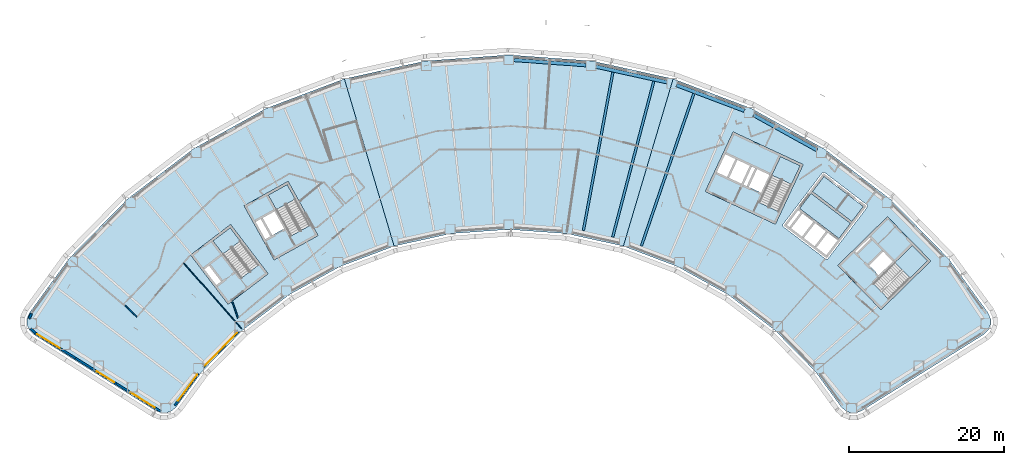
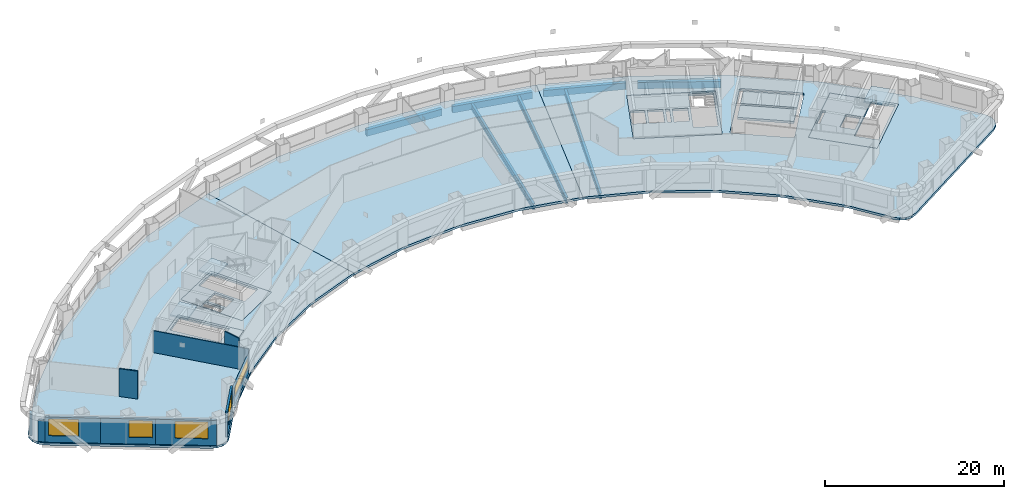
# One storey, part 2 of 19: 13 slabs, 10 walls, 7 beams, 5 windows, 5 openings, 4 elements without a shape of their own.
"""IFC4 building model written with IfcOpenShell, lengths in metres."""

from ifc_helpers import new_model, si_unit, direction, frame, frame_2d, origin, origin_2d, place, context, subcontext, project, spatial, polyline, rectangle, hollow_rectangle, i_section, outline, extrude, material, layer, layer_set, material_profile, profile_set, type_object, element, fill, aggregate, save


model = new_model("IFC4")

# Units and contexts
model_context = context("Model", 3, precision=1e-05, world=origin(), true_north=direction((0.0, 1.0)))
body_context = subcontext(model_context, "Body", "Model", "MODEL_VIEW")
ifc_project = project(units=[si_unit("LENGTHUNIT", "METRE"), si_unit("AREAUNIT", "SQUARE_METRE"), si_unit("VOLUMEUNIT", "CUBIC_METRE"), si_unit("PLANEANGLEUNIT", "RADIAN"), si_unit("MASSUNIT", "GRAM", prefix="KILO")], contexts=[model_context])

# Site, building, storey
site_placement = place(None, origin())
site = spatial("IfcSite", under=ifc_project, at=site_placement, CompositionType="ELEMENT")
building_placement = place(site_placement, origin())
building = spatial("IfcBuilding", under=site, at=building_placement, Name="Tuul Gate Civic Tower", CompositionType="ELEMENT")
storey_placement = place(building_placement, frame((0.0, 0.0, 56.699951171875)))
storey = spatial("IfcBuildingStorey", under=building, at=storey_placement, Name="Level 12", CompositionType="ELEMENT", Elevation=56.699951171875)

# Beams
ifc_material_1 = material(Name="Steel S355", Category="steel")
ifc_material_profile_1 = material_profile(ifc_material_1, i_section(OverallWidth=0.300048828125, OverallDepth=0.800048828125, WebThickness=0.013916015625, FlangeThickness=0.02490234375, at=origin_2d()), Name="PG800x300x14x25")
ifc_profile_set_1 = profile_set([ifc_material_profile_1], Name="Steel S355")
beam_type_1 = type_object("IfcBeamType", Name="STR-FLOOR BEAM-PG800x300x14x25", PredefinedType="BEAM", material=ifc_profile_set_1)
beam_1_placement = place(storey_placement, frame((17.146240234375, -10.189453125, -0.699951171875), z_axis=(0.325486974479, 0.945546524209, 0.0), x_axis=(-0.945546524209, 0.325486974479, 0.0)))
element("IfcBeam", 1, at=beam_1_placement, inside=storey, type_object=beam_type_1, Name="Floor beam", PredefinedType="BEAM", context=body_context, shape_type="SweptSolid", body=[
    extrude(i_section(OverallWidth=0.300048828125, OverallDepth=0.800048828125, WebThickness=0.013916015625, FlangeThickness=0.02490234375, at=origin_2d()), origin(), (0.0, 0.0, 1.0), 20.809326171875),
])
beam_2_placement = place(storey_placement, frame((13.438720703125, -9.04296875, -0.699951171875), z_axis=(0.255004720301, 0.96693980817, 0.0), x_axis=(-0.96693980817, 0.255004720301, 0.0)))
element("IfcBeam", 2, at=beam_2_placement, inside=storey, type_object=beam_type_1, Name="Floor beam", PredefinedType="BEAM", context=body_context, shape_type="SweptSolid", body=[
    extrude(i_section(OverallWidth=0.300048828125, OverallDepth=0.800048828125, WebThickness=0.013916015625, FlangeThickness=0.02490234375, at=origin_2d()), origin(), (0.0, 0.0, 1.0), 20.817626953125),
])
beam_3_placement = place(storey_placement, frame((9.6484375, -8.207763671875, -0.699951171875), z_axis=(0.183147342328, 0.98308547492, 0.0), x_axis=(-0.98308547492, 0.183147342328, 0.0)))
element("IfcBeam", 3, at=beam_3_placement, inside=storey, type_object=beam_type_1, Name="Floor beam", PredefinedType="BEAM", context=body_context, shape_type="SweptSolid", body=[
    extrude(i_section(OverallWidth=0.300048828125, OverallDepth=0.800048828125, WebThickness=0.013916015625, FlangeThickness=0.02490234375, at=origin_2d()), origin(), (0.0, 0.0, 1.0), 20.811279296875),
])
ifc_material_2 = material(Name="Steel S355", Category="steel")
ifc_material_profile_2 = material_profile(ifc_material_2, hollow_rectangle(XDim=0.449951171875, YDim=0.89990234375, WallThickness=0.02490234375, at=origin_2d()), Name="BOX900x450x25")
ifc_profile_set_2 = profile_set([ifc_material_profile_2], Name="Steel S355")
beam_type_2 = type_object("IfcBeamType", Name="STR-SPANDREL BEAM-BOX900x450x25", PredefinedType="BEAM", material=ifc_profile_set_2)
beam_4_placement = place(storey_placement, frame((39.83349609375, 2.191162109375, -0.75), z_axis=(-0.874628488078, 0.484793778676, 0.0), x_axis=(-0.484793778676, -0.874628488078, 0.0)))
element("IfcBeam", 4, at=beam_4_placement, inside=storey, type_object=beam_type_2, Name="Spandrel beam", PredefinedType="BEAM", context=body_context, shape_type="SweptSolid", body=[
    extrude(hollow_rectangle(XDim=0.449951171875, YDim=0.89990234375, WallThickness=0.02490234375, at=origin_2d()), origin(), (0.0, 0.0, 1.0), 9.37646484375),
])
beam_5_placement = place(storey_placement, frame((30.4560546875, 7.281982421875, -0.75), z_axis=(-0.935343306637, 0.353741287849, 0.0), x_axis=(-0.353741287849, -0.935343306637, 0.0)))
element("IfcBeam", 5, at=beam_5_placement, inside=storey, type_object=beam_type_2, Name="Spandrel beam", PredefinedType="BEAM", context=body_context, shape_type="SweptSolid", body=[
    extrude(hollow_rectangle(XDim=0.449951171875, YDim=0.89990234375, WallThickness=0.02490234375, at=origin_2d()), origin(), (0.0, 0.0, 1.0), 9.377197265625),
])
beam_6_placement = place(storey_placement, frame((20.442138671875, 10.968994140625, -0.75), z_axis=(-0.976572630495, 0.215188051174, 0.0), x_axis=(-0.215188051174, -0.976572630495, 0.0)))
element("IfcBeam", 6, at=beam_6_placement, inside=storey, type_object=beam_type_2, Name="Spandrel beam", PredefinedType="BEAM", context=body_context, shape_type="SweptSolid", body=[
    extrude(hollow_rectangle(XDim=0.449951171875, YDim=0.89990234375, WallThickness=0.02490234375, at=origin_2d()), origin(), (0.0, 0.0, 1.0), 9.378173828125),
])
beam_7_placement = place(storey_placement, frame((10.000732421875, 13.173828125, -0.75), z_axis=(-0.997388439542, 0.072223961869, 0.0), x_axis=(-0.072223961869, -0.997388439542, 0.0)))
element("IfcBeam", 7, at=beam_7_placement, inside=storey, type_object=beam_type_2, Name="Spandrel beam", PredefinedType="BEAM", context=body_context, shape_type="SweptSolid", body=[
    extrude(hollow_rectangle(XDim=0.449951171875, YDim=0.89990234375, WallThickness=0.02490234375, at=origin_2d()), origin(), (0.0, 0.0, 1.0), 9.376953125),
])

# Slabs
ifc_material_3 = material(Name="Concrete C40/50", Category="concrete")
ifc_layer_1 = layer(ifc_material_3, 0.300048828125)
ifc_layer_set_1 = layer_set([ifc_layer_1], Name="Concrete C40/50")
slab_type_1 = type_object("IfcSlabType", Name="Core floor slab 300", PredefinedType="FLOOR", material=ifc_layer_set_1)
slab_1_placement = place(storey_placement, frame((0.0, 0.0, -0.300048828125)))
element("IfcSlab", 8, at=slab_1_placement, inside=storey, type_object=slab_type_1, Name="FLOOR SLAB", PredefinedType="FLOOR", context=body_context, shape_type="SweptSolid", body=[
    extrude(outline(polyline([(-31.10009765625, -13.7890625), (-35.946044921875, -7.423828125), (-41.11767578125, -11.361572265625), (-36.271484375, -17.726806640625), (-31.10009765625, -13.7890625)]), holes=[polyline([(-37.19287109375, -14.783203125), (-38.737548828125, -12.75439453125), (-39.45361328125, -13.299560546875), (-37.908935546875, -15.328369140625), (-37.19287109375, -14.783203125)]), polyline([(-32.33935546875, -12.65771484375), (-34.56591796875, -14.352783203125), (-38.229736328125, -9.54052734375), (-36.003173828125, -7.845458984375), (-32.33935546875, -12.65771484375)])]), origin(), (0.0, 0.0, 1.0), 0.300048828125),
])
slab_2_placement = place(storey_placement, frame((0.0, 0.0, -0.300048828125)))
element("IfcSlab", 9, at=slab_2_placement, inside=storey, type_object=slab_type_1, Name="FLOOR SLAB", PredefinedType="FLOOR", context=body_context, shape_type="SweptSolid", body=[
    extrude(outline(polyline([(-24.638916015625, -8.846923828125), (-28.51708984375, -1.849853515625), (-34.2021484375, -5.0009765625), (-30.32421875, -11.998046875), (-24.638916015625, -8.846923828125)]), holes=[polyline([(-29.0185546875, -7.958740234375), (-30.254638671875, -5.728515625), (-31.785400390625, -6.576904296875), (-30.54931640625, -8.80712890625), (-29.0185546875, -7.958740234375)]), polyline([(-30.8115234375, -8.95263671875), (-32.047607421875, -6.72216796875), (-32.8349609375, -7.158447265625), (-31.5986328125, -9.388916015625), (-30.8115234375, -8.95263671875)]), polyline([(-25.702392578125, -7.548828125), (-28.14990234375, -8.905517578125), (-31.08203125, -3.615234375), (-28.63427734375, -2.2587890625), (-25.702392578125, -7.548828125)])]), origin(), (0.0, 0.0, 1.0), 0.300048828125),
])
slab_3_placement = place(storey_placement, frame((0.0, 0.0, -0.300048828125)))
element("IfcSlab", 10, at=slab_3_placement, inside=storey, type_object=slab_type_1, Name="FLOOR SLAB", PredefinedType="FLOOR", context=body_context, shape_type="SweptSolid", body=[
    extrude(outline(polyline([(48.117919921875, -18.43310546875), (54.545166015625, -12.1328125), (48.945068359375, -6.419921875), (42.517822265625, -12.719970703125), (48.117919921875, -18.43310546875)]), holes=[polyline([(47.808837890625, -13.974853515625), (49.6298828125, -12.18994140625), (48.40478515625, -10.940185546875), (46.583984375, -12.72509765625), (47.808837890625, -13.974853515625)]), polyline([(44.93896484375, -11.046875), (46.760009765625, -9.261962890625), (46.514892578125, -9.011962890625), (44.69384765625, -10.797119140625), (44.93896484375, -11.046875)]), polyline([(49.086181640625, -17.062744140625), (47.12744140625, -15.064208984375), (52.160888671875, -10.130126953125), (54.11962890625, -12.128662109375), (49.086181640625, -17.062744140625)])]), origin(), (0.0, 0.0, 1.0), 0.300048828125),
])
slab_4_placement = place(storey_placement, frame((0.0, 0.0, -0.300048828125)))
element("IfcSlab", 11, at=slab_4_placement, inside=storey, type_object=slab_type_1, Name="FLOOR SLAB", PredefinedType="FLOOR", context=body_context, shape_type="SweptSolid", body=[
    extrude(outline(polyline([(34.465087890625, -7.385986328125), (38.056884765625, 0.31787109375), (28.993896484375, 4.543701171875), (25.40185546875, -3.159912109375), (34.465087890625, -7.385986328125)]), holes=[polyline([(32.60888671875, -3.32080078125), (33.6865234375, -1.009765625), (32.1005859375, -0.27001953125), (31.02294921875, -2.581298828125), (32.60888671875, -3.32080078125)]), polyline([(30.0712890625, -2.137451171875), (31.14892578125, 0.173583984375), (29.562744140625, 0.9130859375), (28.4853515625, -1.39794921875), (30.0712890625, -2.137451171875)]), polyline([(30.751220703125, -2.454345703125), (31.82861328125, -0.143310546875), (31.4208984375, 0.046875), (30.34326171875, -2.264404296875), (30.751220703125, -2.454345703125)]), polyline([(28.21337890625, -1.27099609375), (29.291015625, 1.0400390625), (27.8408203125, 1.71630859375), (26.76318359375, -0.594970703125), (28.21337890625, -1.27099609375)]), polyline([(34.889892578125, -5.7626953125), (32.353759765625, -4.580078125), (35.120849609375, 1.354736328125), (37.6572265625, 0.17236328125), (34.889892578125, -5.7626953125)])]), origin(), (0.0, 0.0, 1.0), 0.300048828125),
])
ifc_material_4 = material(Name="Concrete C40/50", Category="concrete")
ifc_layer_2 = layer(ifc_material_4, 0.300048828125)
ifc_layer_set_2 = layer_set([ifc_layer_2], Name="Concrete C40/50")
slab_type_2 = type_object("IfcSlabType", Name="Core floor slab 300 non-bearing", PredefinedType="FLOOR", material=ifc_layer_set_2)
slab_5_placement = place(storey_placement, frame((0.0, 0.0, -0.300048828125)))
element("IfcSlab", 12, at=slab_5_placement, inside=storey, type_object=slab_type_2, Name="FLOOR SLAB", PredefinedType="FLOOR", context=body_context, shape_type="SweptSolid", body=[
    extrude(outline(polyline([(37.587890625, -5.350830078125), (39.072021484375, -3.401611328125), (44.163818359375, -7.279052734375), (42.6796875, -9.228271484375), (37.587890625, -5.350830078125)])), origin(), (0.0, 0.0, 1.0), 0.300048828125),
])
slab_6_placement = place(storey_placement, frame((0.0, 0.0, -0.300048828125)))
element("IfcSlab", 13, at=slab_6_placement, inside=storey, type_object=slab_type_2, Name="FLOOR SLAB", PredefinedType="FLOOR", context=body_context, shape_type="SweptSolid", body=[
    extrude(outline(polyline([(44.345458984375, -7.040283203125), (39.25390625, -3.162841796875), (40.73779296875, -1.213623046875), (45.82958984375, -5.091064453125), (44.345458984375, -7.040283203125)])), origin(), (0.0, 0.0, 1.0), 0.300048828125),
])

# Stair, slab
ifc_material_5 = material(Name="Concrete C40/50", Category="concrete")
stair_type = type_object("IfcStairType", Name="Exit stair", PredefinedType="HALF_TURN_STAIR", material=ifc_material_5)
stair_1_placement = place(storey_placement, origin())
stair_1 = element("IfcStair", 14, at=stair_1_placement, inside=storey, type_object=stair_type, Name="Level 12 ST-1", PredefinedType="HALF_TURN_STAIR")
ifc_material_6 = material(Name="Concrete C40/50", Category="concrete")
ifc_layer_3 = layer(ifc_material_6, 0.199951171875)
ifc_layer_set_3 = layer_set([ifc_layer_3], Name="Concrete C40/50")
slab_type_3 = type_object("IfcSlabType", Name="Exit stair landing", PredefinedType="LANDING", material=ifc_layer_set_3)
slab_7_placement = place(storey_placement, frame((0.0, 0.0, 1.900146484375)))
slab_7 = element("IfcSlab", 15, at=slab_7_placement, type_object=slab_type_3, Name="ST-1 landing 1", PredefinedType="LANDING", context=body_context, shape_type="SweptSolid", body=[
    extrude(outline(polyline([(-34.699462890625, -9.554931640625), (-36.9287109375, -11.252197265625), (-38.23193359375, -9.540283203125), (-36.0029296875, -7.843017578125), (-34.699462890625, -9.554931640625)])), origin(), (0.0, 0.0, 1.0), 0.199951171875),
])
aggregate(stair_1, [slab_7])

stair_2_placement = place(storey_placement, origin())
stair_2 = element("IfcStair", 16, at=stair_2_placement, inside=storey, type_object=stair_type, Name="Level 12 ST-2", PredefinedType="HALF_TURN_STAIR")
slab_8_placement = place(storey_placement, frame((0.0, 0.0, 1.900146484375)))
slab_8 = element("IfcSlab", 17, at=slab_8_placement, type_object=slab_type_3, Name="ST-2 landing 1", PredefinedType="LANDING", context=body_context, shape_type="SweptSolid", body=[
    extrude(outline(polyline([(-27.5908203125, -4.138427734375), (-30.041015625, -5.49658203125), (-31.084228515625, -3.61474609375), (-28.6337890625, -2.256591796875), (-27.5908203125, -4.138427734375)])), origin(), (0.0, 0.0, 1.0), 0.199951171875),
])
aggregate(stair_2, [slab_8])

stair_3_placement = place(storey_placement, origin())
stair_3 = element("IfcStair", 18, at=stair_3_placement, inside=storey, type_object=stair_type, Name="Level 12 ST-3", PredefinedType="HALF_TURN_STAIR")
slab_9_placement = place(storey_placement, frame((0.0, 0.0, 1.900146484375)))
slab_9 = element("IfcSlab", 19, at=slab_9_placement, type_object=slab_type_3, Name="ST-3 landing 1", PredefinedType="LANDING", context=body_context, shape_type="SweptSolid", body=[
    extrude(outline(polyline([(51.871337890625, -14.3349609375), (49.91015625, -12.334228515625), (52.160888671875, -10.1279296875), (54.1220703125, -12.128662109375), (51.871337890625, -14.3349609375)])), origin(), (0.0, 0.0, 1.0), 0.199951171875),
])
aggregate(stair_3, [slab_9])

stair_4_placement = place(storey_placement, origin())
stair_4 = element("IfcStair", 20, at=stair_4_placement, inside=storey, type_object=stair_type, Name="Level 12 ST-4", PredefinedType="HALF_TURN_STAIR")
slab_10_placement = place(storey_placement, frame((0.0, 0.0, 1.900146484375)))
slab_10 = element("IfcSlab", 21, at=slab_10_placement, type_object=slab_type_3, Name="ST-4 landing 1", PredefinedType="LANDING", context=body_context, shape_type="SweptSolid", body=[
    extrude(outline(polyline([(36.538818359375, -2.230224609375), (33.999755859375, -1.046142578125), (35.1201171875, 1.35693359375), (37.659423828125, 0.173095703125), (36.538818359375, -2.230224609375)])), origin(), (0.0, 0.0, 1.0), 0.199951171875),
])
aggregate(stair_4, [slab_10])

# Slabs
ifc_material_7 = material(Name="Concrete C35/45", Category="concrete")
ifc_layer_4 = layer(ifc_material_7, 0.300048828125)
ifc_layer_set_4 = layer_set([ifc_layer_4], Name="Concrete C35/45")
slab_type_4 = type_object("IfcSlabType", Name="STR-FLOOR-SLAB-300", PredefinedType="FLOOR", material=ifc_layer_set_4)
slab_11_placement = place(storey_placement, frame((0.0, 0.0, -0.300048828125)))
element("IfcSlab", 22, at=slab_11_placement, inside=storey, type_object=slab_type_4, Name="Level 12/slab/W", PredefinedType="FLOOR", context=body_context, shape_type="SweptSolid", body=[
    extrude(outline(polyline([(-21.833984375, -12.87109375), (-14.81396484375, -10.216064453125), (-21.248046875, 11.406005859375), (-31.31689453125, 7.597900390625), (-40.73095703125, 2.3798828125), (-49.2958984375, -4.14111328125), (-56.8310546875, -11.827880859375), (-61.910888671875, -18.784912109375), (-62.248046875, -19.528076171875), (-62.260009765625, -20.343017578125), (-61.945068359375, -21.095947265625), (-61.35595703125, -21.659912109375), (-45.6259765625, -31.489990234375), (-44.931884765625, -31.760009765625), (-44.18701171875, -31.757080078125), (-43.4951171875, -31.48193359375), (-42.950927734375, -30.972900390625), (-39.6220703125, -26.4150390625), (-34.368896484375, -21.055908203125), (-28.39794921875, -16.509033203125), (-21.833984375, -12.87109375)]), holes=[polyline([(-31.10009765625, -13.7890625), (-36.27197265625, -17.72705078125), (-41.117919921875, -11.362060546875), (-35.946044921875, -7.424072265625), (-31.10009765625, -13.7890625)]), polyline([(-24.638916015625, -8.846923828125), (-30.323974609375, -11.998046875), (-34.201904296875, -5.0009765625), (-28.51708984375, -1.85009765625), (-24.638916015625, -8.846923828125)])]), origin(), (0.0, 0.0, 1.0), 0.300048828125),
])
slab_12_placement = place(storey_placement, frame((0.0, 0.0, -0.300048828125)))
element("IfcSlab", 23, at=slab_12_placement, inside=storey, type_object=slab_type_4, Name="Level 12/slab/M", PredefinedType="FLOOR", context=body_context, shape_type="SweptSolid", body=[
    extrude(outline(polyline([(14.81396484375, -10.216064453125), (21.248046875, 11.406005859375), (10.736083984375, 13.721923828125), (0.0, 14.5), (-10.736083984375, 13.721923828125), (-21.248046875, 11.406005859375), (-14.81396484375, -10.216064453125), (-7.485107421875, -8.60107421875), (0.0, -8.05908203125), (7.485107421875, -8.60107421875), (14.81396484375, -10.216064453125)])), origin(), (0.0, 0.0, 1.0), 0.300048828125),
])
slab_13_placement = place(storey_placement, frame((0.0, 0.0, -0.300048828125)))
element("IfcSlab", 24, at=slab_13_placement, inside=storey, type_object=slab_type_4, Name="Level 12/slab/E", PredefinedType="FLOOR", context=body_context, shape_type="SweptSolid", body=[
    extrude(outline(polyline([(44.931884765625, -31.760009765625), (45.6259765625, -31.489990234375), (61.35595703125, -21.659912109375), (61.945068359375, -21.095947265625), (62.260009765625, -20.343017578125), (62.248046875, -19.528076171875), (61.910888671875, -18.784912109375), (56.8310546875, -11.827880859375), (49.2958984375, -4.14111328125), (40.73095703125, 2.3798828125), (31.31689453125, 7.597900390625), (21.248046875, 11.406005859375), (14.81396484375, -10.216064453125), (21.833984375, -12.87109375), (28.39794921875, -16.509033203125), (34.368896484375, -21.055908203125), (39.6220703125, -26.4150390625), (42.950927734375, -30.972900390625), (43.4951171875, -31.48193359375), (44.18701171875, -31.757080078125), (44.931884765625, -31.760009765625)]), holes=[polyline([(48.117919921875, -18.43310546875), (42.51806640625, -12.719970703125), (48.945068359375, -6.419921875), (54.544921875, -12.133056640625), (48.117919921875, -18.43310546875)]), polyline([(35.44091796875, -7.675048828125), (35.4130859375, -7.465087890625), (40.56201171875, -0.701904296875), (40.77197265625, -0.674072265625), (46.341064453125, -4.9150390625), (46.368896484375, -5.125), (41.219970703125, -11.887939453125), (41.010009765625, -11.916015625), (35.44091796875, -7.675048828125)]), polyline([(25.402099609375, -3.159912109375), (28.993896484375, 4.5439453125), (38.056884765625, 0.318115234375), (34.465087890625, -7.385986328125), (25.402099609375, -3.159912109375)])]), origin(), (0.0, 0.0, 1.0), 0.300048828125),
])

# Walls
ifc_material_8 = material(Name="Gypsum board partition")
ifc_layer_5 = layer(ifc_material_8, 0.14990234375)
ifc_layer_set_5 = layer_set([ifc_layer_5], Name="Gypsum board partition")
wall_type_1 = type_object("IfcWallType", Name="Corridor wall P150", PredefinedType="PARTITIONING", material=ifc_layer_set_5)
wall_1_placement = place(storey_placement, frame((-49.59375, -17.883544921875, 0.0), z_axis=(0.0, 0.0, 1.0), x_axis=(0.719862591695, -0.69411659617, 0.0)))
element("IfcWall", 25, at=wall_1_placement, inside=storey, type_object=wall_type_1, Name="p039", PredefinedType="PARTITIONING", context=body_context, shape_type="SweptSolid", body=[
    extrude(rectangle(XDim=2.14306640625, YDim=0.14990234375, at=frame_2d((1.071533203125, 0.0))), origin(), (0.0, 0.0, 1.0), 3.800048828125),
])
wall_2_placement = place(storey_placement, frame((-35.69580078125, -17.47802734375, 0.0), z_axis=(0.0, 0.0, 1.0), x_axis=(0.324543357606, -0.945870820479, 0.0)))
element("IfcWall", 26, at=wall_2_placement, inside=storey, type_object=wall_type_1, Name="p048", PredefinedType="PARTITIONING", context=body_context, shape_type="SweptSolid", body=[
    extrude(rectangle(XDim=2.13720703125, YDim=0.14990234375, at=frame_2d((1.068603515625, 0.0))), origin(), (0.0, 0.0, 1.0), 3.800048828125),
])

# Wall, opening, window
ifc_material_9 = material(Name="Precast concrete C40/50", Category="concrete")
ifc_layer_6 = layer(ifc_material_9, 0.25)
ifc_layer_set_6 = layer_set([ifc_layer_6], Name="Precast concrete C40/50")
wall_type_2 = type_object("IfcWallType", Name="External wall", PredefinedType="STANDARD", material=ifc_layer_set_6)
wall_3_placement = place(storey_placement, frame((-61.210693359375, -21.427001953125, 0.0), z_axis=(0.0, 0.0, 1.0), x_axis=(0.848042669488, -0.529927948619, 0.0)))
wall_3 = element("IfcWall", 27, at=wall_3_placement, inside=storey, type_object=wall_type_2, Name="External wall", PredefinedType="STANDARD", context=body_context, shape_type="SweptSolid", body=[
    extrude(rectangle(XDim=6.1826171875, YDim=0.25, at=frame_2d((3.09130859375, 0.0))), origin(), (0.0, 0.0, 1.0), 3.449951171875),
])
opening_1_placement = place(wall_3_placement, frame((0.340087890625, 0.0, 0.89990234375)))
opening_1 = element("IfcOpeningElement", 28, at=opening_1_placement, cuts=wall_3, Name="Opening W32", PredefinedType="OPENING", context=body_context, shape_type="SweptSolid", body=[
    extrude(rectangle(XDim=3.39990234375, YDim=2.300048828125, at=frame_2d((1.699951171875, 1.14990234375))), frame((0.0, 0.135009765625, 0.0), z_axis=(0.0, -1.0, 0.0), x_axis=(1.0, 0.0, 0.0)), (0.0, 0.0, 1.0), 0.27001953125),
])
ifc_material_10 = material(Name="Glass", Category="glass")
window_type_1 = type_object("IfcWindowType", Name="Window 3400 x 2300", PartitioningType="SINGLE_PANEL", PredefinedType="WINDOW", material=ifc_material_10)
window_1_placement = place(opening_1_placement, origin())
window_1 = element("IfcWindow", 29, at=window_1_placement, inside=storey, type_object=window_type_1, Name="Window", OverallHeight=2.300048828125, OverallWidth=3.39990234375, PartitioningType="SINGLE_PANEL", PredefinedType="WINDOW", context=body_context, shape_type="SweptSolid", body=[
    extrude(rectangle(XDim=3.39990234375, YDim=2.300048828125, at=frame_2d((1.699951171875, 1.14990234375))), frame((0.0, 0.030029296875, 0.0), z_axis=(0.0, -1.0, 0.0), x_axis=(1.0, 0.0, 0.0)), (0.0, 0.0, 1.0), 0.06005859375),
])
fill(opening_1, window_1)

wall_4_placement = place(storey_placement, frame((-55.967529296875, -24.703369140625, 0.0), z_axis=(0.0, 0.0, 1.0), x_axis=(0.848053758074, -0.529910203164, 0.0)))
wall_4 = element("IfcWall", 30, at=wall_4_placement, inside=storey, type_object=wall_type_2, Name="External wall", PredefinedType="STANDARD", context=body_context, shape_type="SweptSolid", body=[
    extrude(rectangle(XDim=6.182861328125, YDim=0.25, at=frame_2d((3.09130859375, 0.0))), origin(), (0.0, 0.0, 1.0), 3.449951171875),
])
opening_2_placement = place(wall_4_placement, frame((3.199951171875, 0.0, 0.89990234375)))
opening_2 = element("IfcOpeningElement", 31, at=opening_2_placement, cuts=wall_4, Name="Opening W37", PredefinedType="OPENING", context=body_context, shape_type="SweptSolid", body=[
    extrude(rectangle(XDim=2.64990234375, YDim=2.300048828125, at=frame_2d((1.324951171875, 1.14990234375))), frame((0.0, 0.135009765625, 0.0), z_axis=(0.0, -1.0, 0.0), x_axis=(1.0, 0.0, 0.0)), (0.0, 0.0, 1.0), 0.27001953125),
])
ifc_material_11 = material(Name="Glass", Category="glass")
window_type_2 = type_object("IfcWindowType", Name="Window 2650 x 2300", PartitioningType="SINGLE_PANEL", PredefinedType="WINDOW", material=ifc_material_11)
window_2_placement = place(opening_2_placement, origin())
window_2 = element("IfcWindow", 32, at=window_2_placement, inside=storey, type_object=window_type_2, Name="Window", OverallHeight=2.300048828125, OverallWidth=2.64990234375, PartitioningType="SINGLE_PANEL", PredefinedType="WINDOW", context=body_context, shape_type="SweptSolid", body=[
    extrude(rectangle(XDim=2.64990234375, YDim=2.300048828125, at=frame_2d((1.324951171875, 1.14990234375))), frame((0.0, 0.030029296875, 0.0), z_axis=(0.0, -1.0, 0.0), x_axis=(1.0, 0.0, 0.0)), (0.0, 0.0, 1.0), 0.06005859375),
])
fill(opening_2, window_2)

wall_5_placement = place(storey_placement, frame((-50.72412109375, -27.979736328125, 0.0), z_axis=(0.0, 0.0, 1.0), x_axis=(0.848068815002, -0.529886105707, 0.0)))
wall_5 = element("IfcWall", 33, at=wall_5_placement, inside=storey, type_object=wall_type_2, Name="External wall", PredefinedType="STANDARD", context=body_context, shape_type="SweptSolid", body=[
    extrude(rectangle(XDim=6.807373046875, YDim=0.25, at=frame_2d((3.40380859375, 0.0))), origin(), (0.0, 0.0, 1.0), 3.449951171875),
])
opening_3_placement = place(wall_5_placement, frame((2.1640625, 0.0, 0.89990234375)))
opening_3 = element("IfcOpeningElement", 34, at=opening_3_placement, cuts=wall_5, Name="Opening W21", PredefinedType="OPENING", context=body_context, shape_type="SweptSolid", body=[
    extrude(rectangle(XDim=3.699951171875, YDim=2.300048828125, at=frame_2d((1.85009765625, 1.14990234375))), frame((0.0, 0.135009765625, 0.0), z_axis=(0.0, -1.0, 0.0), x_axis=(1.0, 0.0, 0.0)), (0.0, 0.0, 1.0), 0.27001953125),
])
ifc_material_12 = material(Name="Glass", Category="glass")
window_type_3 = type_object("IfcWindowType", Name="Window W21 3700 x 2300", PartitioningType="SINGLE_PANEL", PredefinedType="WINDOW", material=ifc_material_12)
window_3_placement = place(opening_3_placement, origin())
window_3 = element("IfcWindow", 35, at=window_3_placement, inside=storey, type_object=window_type_3, Name="Window", OverallHeight=2.300048828125, OverallWidth=3.699951171875, PartitioningType="SINGLE_PANEL", PredefinedType="WINDOW", context=body_context, shape_type="SweptSolid", body=[
    extrude(rectangle(XDim=3.699951171875, YDim=2.300048828125, at=frame_2d((1.85009765625, 1.14990234375))), frame((0.0, 0.030029296875, 0.0), z_axis=(0.0, -1.0, 0.0), x_axis=(1.0, 0.0, 0.0)), (0.0, 0.0, 1.0), 0.06005859375),
])
fill(opening_3, window_3)

wall_6_placement = place(storey_placement, frame((-43.1728515625, -30.811279296875, 0.0), z_axis=(0.0, 0.0, 1.0), x_axis=(0.589712900291, 0.807612961282, 0.0)))
wall_6 = element("IfcWall", 36, at=wall_6_placement, inside=storey, type_object=wall_type_2, Name="External wall", PredefinedType="STANDARD", context=body_context, shape_type="SweptSolid", body=[
    extrude(rectangle(XDim=5.120361328125, YDim=0.25, at=frame_2d((2.56005859375, 0.0))), origin(), (0.0, 0.0, 1.0), 3.449951171875),
])
opening_4_placement = place(wall_6_placement, frame((0.75244140625, 0.0, 0.89990234375)))
opening_4 = element("IfcOpeningElement", 37, at=opening_4_placement, cuts=wall_6, Name="Opening W25", PredefinedType="OPENING", context=body_context, shape_type="SweptSolid", body=[
    extrude(rectangle(XDim=4.14990234375, YDim=2.300048828125, at=frame_2d((2.074951171875, 1.14990234375))), frame((0.0, 0.135009765625, 0.0), z_axis=(0.0, -1.0, 0.0), x_axis=(1.0, 0.0, 0.0)), (0.0, 0.0, 1.0), 0.27001953125),
])
ifc_material_13 = material(Name="Glass", Category="glass")
window_type_4 = type_object("IfcWindowType", Name="Window W25 4150 x 2300", PartitioningType="SINGLE_PANEL", PredefinedType="WINDOW", material=ifc_material_13)
window_4_placement = place(opening_4_placement, origin())
window_4 = element("IfcWindow", 38, at=window_4_placement, inside=storey, type_object=window_type_4, Name="Window", OverallHeight=2.300048828125, OverallWidth=4.14990234375, PartitioningType="SINGLE_PANEL", PredefinedType="WINDOW", context=body_context, shape_type="SweptSolid", body=[
    extrude(rectangle(XDim=4.14990234375, YDim=2.300048828125, at=frame_2d((2.074951171875, 1.14990234375))), frame((0.0, 0.030029296875, 0.0), z_axis=(0.0, -1.0, 0.0), x_axis=(1.0, 0.0, 0.0)), (0.0, 0.0, 1.0), 0.06005859375),
])
fill(opening_4, window_4)

ifc_material_14 = material(Name="Precast concrete C40/50", Category="concrete")
ifc_layer_7 = layer(ifc_material_14, 0.25)
ifc_layer_set_7 = layer_set([ifc_layer_7], Name="Precast concrete C40/50")
wall_type_3 = type_object("IfcWallType", Name="External wall 2400 HIGH", PredefinedType="STANDARD", material=ifc_layer_set_7)
wall_7_placement = place(storey_placement, frame((-39.430908203125, -25.827392578125, 0.0), z_axis=(0.0, 0.0, 1.0), x_axis=(0.699998211198, 0.714144596227, 0.0)))
wall_7 = element("IfcWall", 39, at=wall_7_placement, inside=storey, type_object=wall_type_3, Name="External wall", PredefinedType="STANDARD", context=body_context, shape_type="SweptSolid", body=[
    extrude(rectangle(XDim=6.40283203125, YDim=0.25, at=frame_2d((3.201416015625, 0.0))), origin(), (0.0, 0.0, 1.0), 2.400146484375),
])
opening_5_placement = place(wall_7_placement, frame((0.198974609375, 0.0, 0.89990234375)))
opening_5 = element("IfcOpeningElement", 40, at=opening_5_placement, cuts=wall_7, Name="Opening W107", PredefinedType="OPENING", context=body_context, shape_type="SweptSolid", body=[
    extrude(rectangle(XDim=6.0, YDim=1.449951171875, at=frame_2d((3.0, 0.72509765625))), frame((0.0, 0.135009765625, 0.0), z_axis=(0.0, -1.0, 0.0), x_axis=(1.0, 0.0, 0.0)), (0.0, 0.0, 1.0), 0.27001953125),
])
ifc_material_15 = material(Name="Glass", Category="glass")
window_type_5 = type_object("IfcWindowType", Name="Window W107 6000 x 1450", PartitioningType="SINGLE_PANEL", PredefinedType="WINDOW", material=ifc_material_15)
window_5_placement = place(opening_5_placement, origin())
window_5 = element("IfcWindow", 41, at=window_5_placement, inside=storey, type_object=window_type_5, Name="Window", OverallHeight=1.449951171875, OverallWidth=6.0, PartitioningType="SINGLE_PANEL", PredefinedType="WINDOW", context=body_context, shape_type="SweptSolid", body=[
    extrude(rectangle(XDim=6.0, YDim=1.449951171875, at=frame_2d((3.0, 0.72509765625))), frame((0.0, 0.030029296875, 0.0), z_axis=(0.0, -1.0, 0.0), x_axis=(1.0, 0.0, 0.0)), (0.0, 0.0, 1.0), 0.06005859375),
])
fill(opening_5, window_5)

# Walls
ifc_material_16 = material(Name="Precast concrete C40/50", Category="concrete")
ifc_layer_8 = layer(ifc_material_16, 0.25)
ifc_layer_set_8 = layer_set([ifc_layer_8], Name="Precast concrete C40/50")
wall_type_4 = type_object("IfcWallType", Name="External wall 2900 HIGH", PredefinedType="STANDARD", material=ifc_layer_set_8)
wall_8_placement = place(storey_placement, frame((-61.67626953125, -18.924560546875, 0.0), z_axis=(0.0, 0.0, 1.0), x_axis=(-0.412831515496, -0.910807410934, 0.0)))
element("IfcWall", 42, at=wall_8_placement, inside=storey, type_object=wall_type_4, Name="External wall", PredefinedType="STANDARD", context=body_context, shape_type="SweptSolid", body=[
    extrude(rectangle(XDim=0.7197265625, YDim=0.25, at=frame_2d((0.35986328125, 0.0))), origin(), (0.0, 0.0, 1.0), 2.900146484375),
])
wall_9_placement = place(storey_placement, frame((-61.778076171875, -20.8798828125, 0.0), z_axis=(0.0, 0.0, 1.0), x_axis=(0.722244224905, -0.691638113172, 0.0)))
element("IfcWall", 43, at=wall_9_placement, inside=storey, type_object=wall_type_4, Name="External wall", PredefinedType="STANDARD", context=body_context, shape_type="SweptSolid", body=[
    extrude(rectangle(XDim=0.813720703125, YDim=0.25, at=frame_2d((0.40673828125, 0.0))), origin(), (0.0, 0.0, 1.0), 2.900146484375),
])
ifc_material_17 = material(Name="Gypsum board partition")
ifc_layer_9 = layer(ifc_material_17, 0.10009765625)
ifc_layer_set_9 = layer_set([ifc_layer_9], Name="Gypsum board partition")
wall_type_5 = type_object("IfcWallType", Name="Partition P100 3000 HIGH", PredefinedType="PARTITIONING", material=ifc_layer_set_9)
wall_10_placement = place(storey_placement, frame((-42.023193359375, -12.382080078125, 0.0), z_axis=(0.0, 0.0, 1.0), x_axis=(0.661693106294, -0.749774788242, 0.0)))
element("IfcWall", 44, at=wall_10_placement, inside=storey, type_object=wall_type_5, Name="p046", PredefinedType="PARTITIONING", context=body_context, shape_type="SweptSolid", body=[
    extrude(rectangle(XDim=11.297607421875, YDim=0.10009765625, at=frame_2d((5.64892578125, 0.0))), origin(), (0.0, 0.0, 1.0), 3.0),
])

save(model, "model.ifc")
